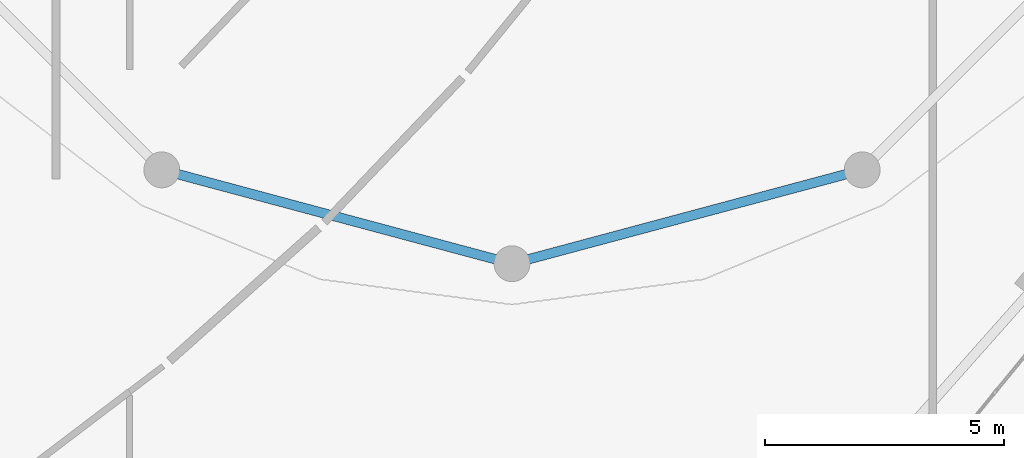
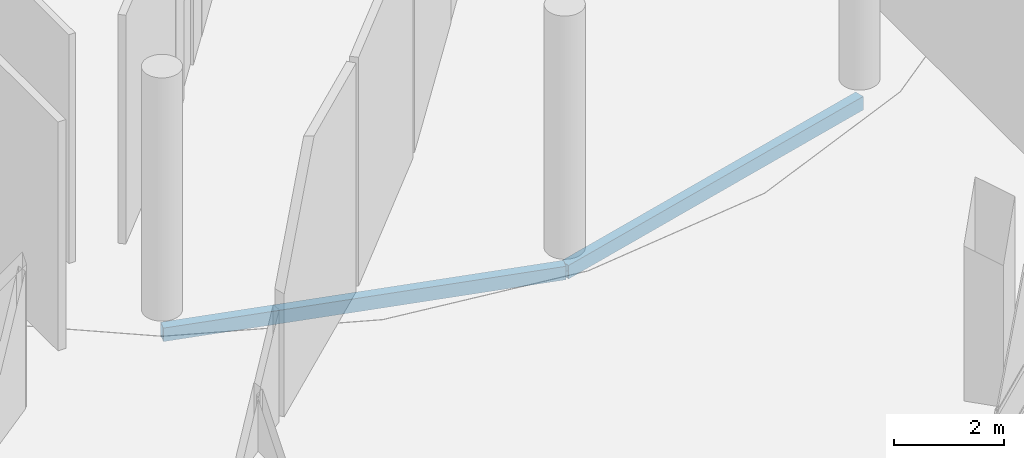
# One storey, part 49 of 158: 2 beams.
"""IFC4 building model written with IfcOpenShell, lengths in metres."""

from ifc_helpers import new_model, si_unit, direction, frame, origin, origin_2d, place, context, subcontext, project, spatial, hollow_rectangle, extrude, material, material_profile, profile_set, type_object, element, save


model = new_model("IFC4")

# Units and contexts
model_context = context("Model", 3, precision=1e-05, world=origin(), true_north=direction((0.0, 1.0)))
body_context = subcontext(model_context, "Body", "Model", "MODEL_VIEW")
ifc_project = project(units=[si_unit("LENGTHUNIT", "METRE"), si_unit("AREAUNIT", "SQUARE_METRE"), si_unit("VOLUMEUNIT", "CUBIC_METRE"), si_unit("PLANEANGLEUNIT", "RADIAN"), si_unit("MASSUNIT", "GRAM", prefix="KILO")], contexts=[model_context])

# Site, building, storey
site_placement = place(None, origin())
site = spatial("IfcSite", under=ifc_project, at=site_placement, CompositionType="ELEMENT")
building_placement = place(site_placement, origin())
building = spatial("IfcBuilding", under=site, at=building_placement, Name="Selatvlak General Hospital", CompositionType="ELEMENT")
storey_placement = place(building_placement, origin())
storey = spatial("IfcBuildingStorey", under=building, at=storey_placement, Name="L00", CompositionType="ELEMENT", Elevation=0.0)

# Beams
ifc_material = material(Name="Steel S355", Category="steel")
ifc_material_profile = material_profile(ifc_material, hollow_rectangle(XDim=0.199951171875, YDim=0.300048828125, WallThickness=0.011962890625, at=origin_2d()), Name="RHS 300x200x12")
ifc_profile_set = profile_set([ifc_material_profile], Name="Steel S355")
beam_type = type_object("IfcBeamType", Name="BM-SP3", PredefinedType="SPANDREL", material=ifc_profile_set)
for number, where, z_axis, x_axis, name in (
    (1, (90.675048828125, 41.31298828125, -0.5), (0.965920028052, -0.25884068345, 0.0), (0.25884068345, 0.965920028052, 0.0), "Beam BMR-L00-0325"),
    (2, (98.0, 39.35009765625, -0.5), (0.965920028052, 0.25884068345, 0.0), (-0.25884068345, 0.965920028052, 0.0), "Beam BMR-L00-0326"),
):
    element("IfcBeam", number, at=place(storey_placement, frame(where, z_axis=z_axis, x_axis=x_axis)), inside=storey, type_object=beam_type, Name=name, PredefinedType="SPANDREL", context=body_context, shape_type="SweptSolid", body=[
        extrude(hollow_rectangle(XDim=0.199951171875, YDim=0.300048828125, WallThickness=0.011962890625, at=origin_2d()), origin(), (0.0, 0.0, 1.0), 7.58349609375),
    ])

save(model, "model.ifc")
